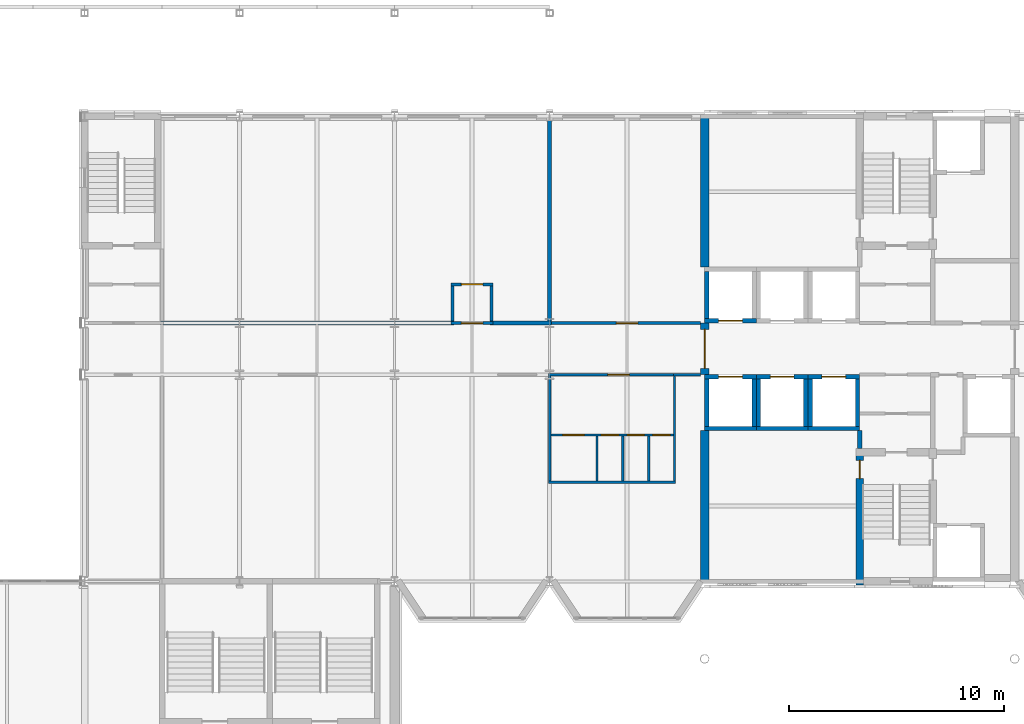
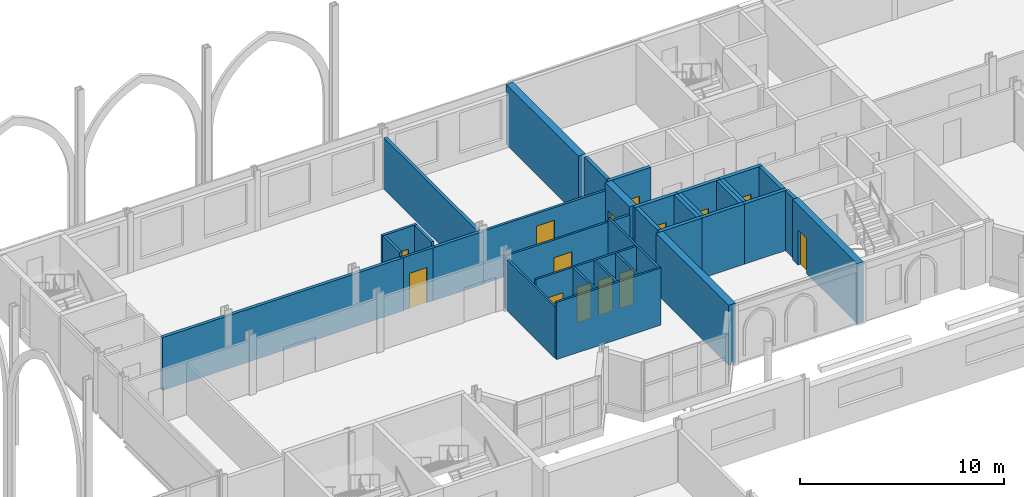
# One storey, part 74 of 124: 36 walls, 14 doors, 14 openings.
"""IFC4 building model written with IfcOpenShell, lengths in metres."""

from ifc_helpers import new_model, si_unit, direction, frame, frame_2d, origin, place, context, subcontext, project, spatial, rectangle, extrude, material, layer, layer_set, type_object, element, fill, save


model = new_model("IFC4")

# Units and contexts
model_context = context("Model", 3, precision=1e-05, world=origin(), true_north=direction((0.0, 1.0)))
body_context = subcontext(model_context, "Body", "Model", "MODEL_VIEW")
ifc_project = project(units=[si_unit("LENGTHUNIT", "METRE"), si_unit("AREAUNIT", "SQUARE_METRE"), si_unit("VOLUMEUNIT", "CUBIC_METRE"), si_unit("PLANEANGLEUNIT", "RADIAN"), si_unit("MASSUNIT", "GRAM", prefix="KILO")], contexts=[model_context])

# Site, building, storey
site_placement = place(None, origin())
site = spatial("IfcSite", under=ifc_project, at=site_placement, CompositionType="ELEMENT")
building_placement = place(site_placement, origin())
building = spatial("IfcBuilding", under=site, at=building_placement, Name="Kupolbacken Congress Centre", CompositionType="ELEMENT")
storey_placement = place(building_placement, frame((0.0, 0.0, 10.800048828125)))
storey = spatial("IfcBuildingStorey", under=building, at=storey_placement, Name="L03", CompositionType="ELEMENT", Elevation=10.800048828125)

# Wall
ifc_material_1 = material(Name="Gypsum board", Category="drywall")
ifc_layer_1 = layer(ifc_material_1, 0.114990234375)
ifc_layer_set_1 = layer_set([ifc_layer_1], Name="Gypsum board")
wall_type_1 = type_object("IfcWallType", Name="P04 partition 115", PredefinedType="PARTITIONING", material=ifc_layer_set_1)
wall_1_placement = place(storey_placement, frame((86.342529296875, 127.0, 0.0), z_axis=(0.0, 0.0, 1.0), x_axis=(1.0, 0.0, 0.0)))
element("IfcWall", 1, at=wall_1_placement, inside=storey, type_object=wall_type_1, Name="T/wall/L03/x/12700/8640", PredefinedType="PARTITIONING", context=body_context, shape_type="SweptSolid", body=[
    extrude(rectangle(XDim=5.9150390625, YDim=0.114990234375, at=frame_2d((2.95751953125, 0.0))), origin(), (0.0, 0.0, 1.0), 3.419921875),
])

# Wall, openings, doors
wall_2_placement = place(storey_placement, frame((86.45751953125, 129.199951171875, 0.0), z_axis=(0.0, 0.0, 1.0), x_axis=(1.0, 0.0, 0.0)))
wall_2 = element("IfcWall", 2, at=wall_2_placement, inside=storey, type_object=wall_type_1, Name="T/wall/L03/x/12920/8640", PredefinedType="PARTITIONING", context=body_context, shape_type="SweptSolid", body=[
    extrude(rectangle(XDim=5.68505859375, YDim=0.114990234375, at=frame_2d((2.842529296875, 0.0))), origin(), (0.0, 0.0, 1.0), 3.419921875),
])
opening_1_placement = place(wall_2_placement, frame((0.54248046875, 0.0, 0.0)))
opening_1 = element("IfcOpeningElement", 3, at=opening_1_placement, cuts=wall_2, Name="Opening D39", PredefinedType="OPENING", context=body_context, shape_type="SweptSolid", body=[
    extrude(rectangle(XDim=1.0, YDim=2.10009765625, at=frame_2d((0.5, 1.050048828125))), frame((0.0, 0.0673828125, 0.0), z_axis=(0.0, -1.0, 0.0), x_axis=(1.0, 0.0, 0.0)), (0.0, 0.0, 1.0), 0.135009765625),
])
opening_2_placement = place(wall_2_placement, frame((2.342529296875, 0.0, 0.0)))
opening_2 = element("IfcOpeningElement", 4, at=opening_2_placement, cuts=wall_2, Name="Opening D2", PredefinedType="OPENING", context=body_context, shape_type="SweptSolid", body=[
    extrude(rectangle(XDim=0.800048828125, YDim=2.10009765625, at=frame_2d((0.39990234375, 1.050048828125))), frame((0.0, 0.0673828125, 0.0), z_axis=(0.0, -1.0, 0.0), x_axis=(1.0, 0.0, 0.0)), (0.0, 0.0, 1.0), 0.135009765625),
])
opening_3_placement = place(wall_2_placement, frame((3.54248046875, 0.0, 0.0)))
opening_3 = element("IfcOpeningElement", 5, at=opening_3_placement, cuts=wall_2, Name="Opening D2", PredefinedType="OPENING", context=body_context, shape_type="SweptSolid", body=[
    extrude(rectangle(XDim=0.800048828125, YDim=2.10009765625, at=frame_2d((0.39990234375, 1.050048828125))), frame((0.0, 0.0673828125, 0.0), z_axis=(0.0, -1.0, 0.0), x_axis=(1.0, 0.0, 0.0)), (0.0, 0.0, 1.0), 0.135009765625),
])
opening_4_placement = place(wall_2_placement, frame((4.742431640625, 0.0, 0.0)))
opening_4 = element("IfcOpeningElement", 6, at=opening_4_placement, cuts=wall_2, Name="Opening D2", PredefinedType="OPENING", context=body_context, shape_type="SweptSolid", body=[
    extrude(rectangle(XDim=0.800048828125, YDim=2.10009765625, at=frame_2d((0.39990234375, 1.050048828125))), frame((0.0, 0.0673828125, 0.0), z_axis=(0.0, -1.0, 0.0), x_axis=(1.0, 0.0, 0.0)), (0.0, 0.0, 1.0), 0.135009765625),
])
ifc_material_2 = material(Name="Timber door leaf", Category="wood")
door_type_1 = type_object("IfcDoorType", Name="D2 door 800x2100", OperationType="SINGLE_SWING_LEFT", PredefinedType="DOOR", material=ifc_material_2)
door_1_placement = place(opening_2_placement, frame((0.800048828125, 0.0, 0.0), z_axis=(0.0, 0.0, 1.0), x_axis=(-1.0, 0.0, 0.0)))
door_1 = element("IfcDoor", 7, at=door_1_placement, inside=storey, type_object=door_type_1, Name="T/wall/L03/x/12920/8640/D-WR-DC1", OperationType="SINGLE_SWING_RIGHT", OverallHeight=2.10009765625, OverallWidth=0.800048828125, PredefinedType="DOOR", context=body_context, shape_type="SweptSolid", body=[
    extrude(rectangle(XDim=0.800048828125, YDim=2.10009765625, at=frame_2d((0.39990234375, 1.050048828125))), frame((0.0, 0.02490234375, 0.0), z_axis=(0.0, -1.0, 0.0), x_axis=(1.0, 0.0, 0.0)), (0.0, 0.0, 1.0), 0.050048828125),
])
fill(opening_2, door_1)
door_2_placement = place(opening_3_placement, frame((0.800048828125, 0.0, 0.0), z_axis=(0.0, 0.0, 1.0), x_axis=(-1.0, 0.0, 0.0)))
door_2 = element("IfcDoor", 8, at=door_2_placement, inside=storey, type_object=door_type_1, Name="T/wall/L03/x/12920/8640/D-WR-DC2", OperationType="SINGLE_SWING_LEFT", OverallHeight=2.10009765625, OverallWidth=0.800048828125, PredefinedType="DOOR", context=body_context, shape_type="SweptSolid", body=[
    extrude(rectangle(XDim=0.800048828125, YDim=2.10009765625, at=frame_2d((0.39990234375, 1.050048828125))), frame((0.0, 0.02490234375, 0.0), z_axis=(0.0, -1.0, 0.0), x_axis=(1.0, 0.0, 0.0)), (0.0, 0.0, 1.0), 0.050048828125),
])
fill(opening_3, door_2)
door_3_placement = place(opening_4_placement, frame((0.800048828125, 0.0, 0.0), z_axis=(0.0, 0.0, 1.0), x_axis=(-1.0, 0.0, 0.0)))
door_3 = element("IfcDoor", 9, at=door_3_placement, inside=storey, type_object=door_type_1, Name="T/wall/L03/x/12920/8640/D-WR-DC3", OperationType="SINGLE_SWING_RIGHT", OverallHeight=2.10009765625, OverallWidth=0.800048828125, PredefinedType="DOOR", context=body_context, shape_type="SweptSolid", body=[
    extrude(rectangle(XDim=0.800048828125, YDim=2.10009765625, at=frame_2d((0.39990234375, 1.050048828125))), frame((0.0, 0.02490234375, 0.0), z_axis=(0.0, -1.0, 0.0), x_axis=(1.0, 0.0, 0.0)), (0.0, 0.0, 1.0), 0.050048828125),
])
fill(opening_4, door_3)
ifc_material_3 = material(Name="Timber door leaf", Category="wood")
door_type_2 = type_object("IfcDoorType", Name="D39 door 1000x2100", OperationType="SINGLE_SWING_LEFT", PredefinedType="DOOR", material=ifc_material_3)
door_4_placement = place(opening_1_placement, frame((1.0, 0.0, 0.0), z_axis=(0.0, 0.0, 1.0), x_axis=(-1.0, 0.0, 0.0)))
door_4 = element("IfcDoor", 10, at=door_4_placement, inside=storey, type_object=door_type_2, Name="T/wall/L03/x/12920/8640/D-WR-DA", OperationType="SINGLE_SWING_RIGHT", OverallHeight=2.10009765625, OverallWidth=1.0, PredefinedType="DOOR", context=body_context, shape_type="SweptSolid", body=[
    extrude(rectangle(XDim=1.0, YDim=2.10009765625, at=frame_2d((0.5, 1.050048828125))), frame((0.0, 0.02490234375, 0.0), z_axis=(0.0, -1.0, 0.0), x_axis=(1.0, 0.0, 0.0)), (0.0, 0.0, 1.0), 0.050048828125),
])
fill(opening_1, door_4)

# Wall, opening, door
wall_3_placement = place(storey_placement, frame((86.342529296875, 132.0, 0.0), z_axis=(0.0, 0.0, 1.0), x_axis=(1.0, 0.0, 0.0)))
wall_3 = element("IfcWall", 11, at=wall_3_placement, inside=storey, type_object=wall_type_1, Name="T/wall/L03/x/13200/8640", PredefinedType="PARTITIONING", context=body_context, shape_type="SweptSolid", body=[
    extrude(rectangle(XDim=5.9150390625, YDim=0.114990234375, at=frame_2d((2.95751953125, 0.0))), origin(), (0.0, 0.0, 1.0), 3.158935546875),
])
opening_5_placement = place(wall_3_placement, frame((2.757568359375, 0.0, 0.0)))
opening_5 = element("IfcOpeningElement", 12, at=opening_5_placement, cuts=wall_3, Name="Opening D39", PredefinedType="OPENING", context=body_context, shape_type="SweptSolid", body=[
    extrude(rectangle(XDim=1.0, YDim=2.10009765625, at=frame_2d((0.5, 1.050048828125))), frame((0.0, 0.0673828125, 0.0), z_axis=(0.0, -1.0, 0.0), x_axis=(1.0, 0.0, 0.0)), (0.0, 0.0, 1.0), 0.135009765625),
])
door_5_placement = place(opening_5_placement, frame((1.0, 0.0, 0.0), z_axis=(0.0, 0.0, 1.0), x_axis=(-1.0, 0.0, 0.0)))
door_5 = element("IfcDoor", 13, at=door_5_placement, inside=storey, type_object=door_type_2, Name="T/wall/L03/x/13200/8640/D-WR-DE", OperationType="SINGLE_SWING_RIGHT", OverallHeight=2.10009765625, OverallWidth=1.0, PredefinedType="DOOR", context=body_context, shape_type="SweptSolid", body=[
    extrude(rectangle(XDim=1.0, YDim=2.10009765625, at=frame_2d((0.5, 1.050048828125))), frame((0.0, 0.02490234375, 0.0), z_axis=(0.0, -1.0, 0.0), x_axis=(1.0, 0.0, 0.0)), (0.0, 0.0, 1.0), 0.050048828125),
])
fill(opening_5, door_5)

# Walls
wall_4_placement = place(storey_placement, frame((86.39990234375, 127.0576171875, 0.0), z_axis=(0.0, 0.0, 1.0), x_axis=(0.0, 1.0, 0.0)))
element("IfcWall", 14, at=wall_4_placement, inside=storey, type_object=wall_type_1, Name="T/wall/L03/y/8640/12700", PredefinedType="PARTITIONING", context=body_context, shape_type="SweptSolid", body=[
    extrude(rectangle(XDim=4.875, YDim=0.114990234375, at=frame_2d((2.4375, 0.0))), origin(), (0.0, 0.0, 1.0), 3.06005859375),
])
for number, where, z_axis, x_axis, name in (
    (15, (88.60009765625, 127.0576171875, 0.0), (0.0, 0.0, 1.0), (0.0, 1.0, 0.0), "T/wall/L03/y/8860/12700"),
    (16, (89.800048828125, 127.0576171875, 0.0), (0.0, 0.0, 1.0), (0.0, 1.0, 0.0), "T/wall/L03/y/8980/12700"),
    (17, (91.0, 127.0576171875, 0.0), (0.0, 0.0, 1.0), (0.0, 1.0, 0.0), "T/wall/L03/y/9100/12700"),
):
    element("IfcWall", number, at=place(storey_placement, frame(where, z_axis=z_axis, x_axis=x_axis)), inside=storey, type_object=wall_type_1, Name=name, PredefinedType="PARTITIONING", context=body_context, shape_type="SweptSolid", body=[
        extrude(rectangle(XDim=2.0849609375, YDim=0.114990234375, at=frame_2d((1.04248046875, 0.0))), origin(), (0.0, 0.0, 1.0), 3.419921875),
    ])
wall_5_placement = place(storey_placement, frame((92.199951171875, 127.0576171875, 0.0), z_axis=(0.0, 0.0, 1.0), x_axis=(0.0, 1.0, 0.0)))
element("IfcWall", 18, at=wall_5_placement, inside=storey, type_object=wall_type_1, Name="T/wall/L03/y/9220/12700", PredefinedType="PARTITIONING", context=body_context, shape_type="SweptSolid", body=[
    extrude(rectangle(XDim=4.875, YDim=0.114990234375, at=frame_2d((2.4375, 0.0))), origin(), (0.0, 0.0, 1.0), 3.419921875),
])
ifc_material_4 = material(Name="Gypsum board", Category="drywall")
ifc_layer_2 = layer(ifc_material_4, 0.135009765625)
ifc_layer_set_2 = layer_set([ifc_layer_2], Name="Gypsum board")
wall_type_2 = type_object("IfcWallType", Name="P06 compartment wall 135", PredefinedType="PARTITIONING", material=ifc_layer_set_2)
wall_6_placement = place(storey_placement, frame((92.142578125, 132.0, 0.0), z_axis=(0.0, 0.0, 1.0), x_axis=(1.0, 0.0, 0.0)))
element("IfcWall", 19, at=wall_6_placement, inside=storey, type_object=wall_type_2, Name="T/wall/L03/x/13200/9220", PredefinedType="PARTITIONING", context=body_context, shape_type="SweptSolid", body=[
    extrude(rectangle(XDim=1.25732421875, YDim=0.135009765625, at=frame_2d((0.628662109375, 0.0))), origin(), (0.0, 0.0, 1.0), 3.158935546875),
])

# Wall, opening, door
wall_7_placement = place(storey_placement, frame((86.3125, 134.39990234375, 0.0), z_axis=(0.0, 0.0, 1.0), x_axis=(1.0, 0.0, 0.0)))
wall_7 = element("IfcWall", 20, at=wall_7_placement, inside=storey, type_object=wall_type_2, Name="T/wall/L03/x/13440/8640", PredefinedType="PARTITIONING", context=body_context, shape_type="SweptSolid", body=[
    extrude(rectangle(XDim=7.08740234375, YDim=0.135009765625, at=frame_2d((3.543701171875, 0.0))), origin(), (0.0, 0.0, 1.0), 3.158935546875),
])
opening_6_placement = place(wall_7_placement, frame((3.1875, 0.0, 0.0)))
opening_6 = element("IfcOpeningElement", 21, at=opening_6_placement, cuts=wall_7, Name="Opening D8", PredefinedType="OPENING", context=body_context, shape_type="SweptSolid", body=[
    extrude(rectangle(XDim=1.0, YDim=2.39990234375, at=frame_2d((0.5, 1.199951171875))), frame((0.0, 0.077392578125, 0.0), z_axis=(0.0, -1.0, 0.0), x_axis=(1.0, 0.0, 0.0)), (0.0, 0.0, 1.0), 0.155029296875),
])
ifc_material_5 = material(Name="Steel fire door leaf", Category="steel")
door_type_3 = type_object("IfcDoorType", Name="D8 fire door 1000x2400", OperationType="SINGLE_SWING_LEFT", PredefinedType="DOOR", material=ifc_material_5)
door_6_placement = place(opening_6_placement, origin())
door_6 = element("IfcDoor", 22, at=door_6_placement, inside=storey, type_object=door_type_3, Name="T/wall/L03/x/13440/8640/D-BAR-S1", OperationType="SINGLE_SWING_RIGHT", OverallHeight=2.39990234375, OverallWidth=1.0, PredefinedType="DOOR", context=body_context, shape_type="SweptSolid", body=[
    extrude(rectangle(XDim=1.0, YDim=2.39990234375, at=frame_2d((0.5, 1.199951171875))), frame((0.0, 0.02490234375, 0.0), z_axis=(0.0, -1.0, 0.0), x_axis=(1.0, 0.0, 0.0)), (0.0, 0.0, 1.0), 0.050048828125),
])
fill(opening_6, door_6)

# Walls
ifc_material_6 = material(Name="Gypsum board", Category="drywall")
ifc_layer_3 = layer(ifc_material_6, 0.175048828125)
ifc_layer_set_3 = layer_set([ifc_layer_3], Name="Gypsum board")
wall_type_3 = type_object("IfcWallType", Name="P09 partition 175", PredefinedType="PARTITIONING", material=ifc_layer_set_3)
wall_8_placement = place(storey_placement, frame((68.330078125, 134.39990234375, 0.0), z_axis=(0.0, 0.0, 1.0), x_axis=(1.0, 0.0, 0.0)))
element("IfcWall", 23, at=wall_8_placement, inside=storey, type_object=wall_type_3, Name="T/wall/L03/x/13440/6840", PredefinedType="PARTITIONING", context=body_context, shape_type="SweptSolid", body=[
    extrude(rectangle(XDim=13.639892578125, YDim=0.175048828125, at=frame_2d((6.81982421875, 0.0))), origin(), (0.0, 0.0, 1.0), 3.158935546875),
])
wall_9_placement = place(storey_placement, frame((83.6298828125, 134.39990234375, 0.0), z_axis=(0.0, 0.0, 1.0), x_axis=(1.0, 0.0, 0.0)))
element("IfcWall", 24, at=wall_9_placement, inside=storey, type_object=wall_type_3, Name="T/wall/L03/x/13440/8370", PredefinedType="PARTITIONING", context=body_context, shape_type="SweptSolid", body=[
    extrude(rectangle(XDim=2.857666015625, YDim=0.175048828125, at=frame_2d((1.4287109375, 0.0))), origin(), (0.0, 0.0, 1.0), 3.158935546875),
])
wall_10_placement = place(storey_placement, frame((86.39990234375, 134.487548828125, 0.0), z_axis=(0.0, 0.0, 1.0), x_axis=(0.0, 1.0, 0.0)))
element("IfcWall", 25, at=wall_10_placement, inside=storey, type_object=wall_type_3, Name="T/wall/L03/y/8640/13440", PredefinedType="PARTITIONING", context=body_context, shape_type="SweptSolid", body=[
    extrude(rectangle(XDim=9.322509765625, YDim=0.175048828125, at=frame_2d((4.6611328125, 0.0))), origin(), (0.0, 0.0, 1.0), 3.06005859375),
])

# Wall, opening, door
ifc_material_7 = material(Name="Aerated concrete block", Category="masonry")
ifc_layer_4 = layer(ifc_material_7, 0.139892578125)
ifc_layer_set_4 = layer_set([ifc_layer_4], Name="Aerated concrete block")
wall_type_4 = type_object("IfcWallType", Name="P14 compartment wall 140", PredefinedType="PARTITIONING", material=ifc_layer_set_4)
wall_11_placement = place(storey_placement, frame((81.830078125, 134.39990234375, 0.0), z_axis=(0.0, 0.0, 1.0), x_axis=(1.0, 0.0, 0.0)))
wall_11 = element("IfcWall", 26, at=wall_11_placement, inside=storey, type_object=wall_type_4, Name="T/wall/L03/x/13440/8190", PredefinedType="PARTITIONING", context=body_context, shape_type="SweptSolid", body=[
    extrude(rectangle(XDim=1.93994140625, YDim=0.139892578125, at=frame_2d((0.969970703125, 0.0))), origin(), (0.0, 0.0, 1.0), 3.158935546875),
])
opening_7_placement = place(wall_11_placement, frame((0.469970703125, 0.0, 0.0)))
opening_7 = element("IfcOpeningElement", 27, at=opening_7_placement, cuts=wall_11, Name="Opening D5", PredefinedType="OPENING", context=body_context, shape_type="SweptSolid", body=[
    extrude(rectangle(XDim=1.0, YDim=2.10009765625, at=frame_2d((0.5, 1.050048828125))), frame((0.0, 0.079833984375, 0.0), z_axis=(0.0, -1.0, 0.0), x_axis=(1.0, 0.0, 0.0)), (0.0, 0.0, 1.0), 0.159912109375),
])
ifc_material_8 = material(Name="Steel fire door leaf", Category="steel")
door_type_4 = type_object("IfcDoorType", Name="D5 stair door 1000x2100", OperationType="SINGLE_SWING_LEFT", PredefinedType="DOOR", material=ifc_material_8)
door_7_placement = place(opening_7_placement, origin())
door_7 = element("IfcDoor", 28, at=door_7_placement, inside=storey, type_object=door_type_4, Name="T/wall/L03/x/13440/8190/D-KIT-D1", OperationType="SINGLE_SWING_RIGHT", OverallHeight=2.10009765625, OverallWidth=1.0, PredefinedType="DOOR", context=body_context, shape_type="SweptSolid", body=[
    extrude(rectangle(XDim=1.0, YDim=2.10009765625, at=frame_2d((0.5, 1.050048828125))), frame((0.0, 0.02490234375, 0.0), z_axis=(0.0, -1.0, 0.0), x_axis=(1.0, 0.0, 0.0)), (0.0, 0.0, 1.0), 0.050048828125),
])
fill(opening_7, door_7)

wall_12_placement = place(storey_placement, frame((81.830078125, 136.199951171875, 0.0), z_axis=(0.0, 0.0, 1.0), x_axis=(1.0, 0.0, 0.0)))
wall_12 = element("IfcWall", 29, at=wall_12_placement, inside=storey, type_object=wall_type_4, Name="T/wall/L03/x/13620/8190", PredefinedType="PARTITIONING", context=body_context, shape_type="SweptSolid", body=[
    extrude(rectangle(XDim=1.93994140625, YDim=0.139892578125, at=frame_2d((0.969970703125, 0.0))), origin(), (0.0, 0.0, 1.0), 3.419921875),
])
opening_8_placement = place(wall_12_placement, frame((0.469970703125, 0.0, 0.0)))
opening_8 = element("IfcOpeningElement", 30, at=opening_8_placement, cuts=wall_12, Name="Opening D5", PredefinedType="OPENING", context=body_context, shape_type="SweptSolid", body=[
    extrude(rectangle(XDim=1.0, YDim=2.10009765625, at=frame_2d((0.5, 1.050048828125))), frame((0.0, 0.079833984375, 0.0), z_axis=(0.0, -1.0, 0.0), x_axis=(1.0, 0.0, 0.0)), (0.0, 0.0, 1.0), 0.159912109375),
])
door_8_placement = place(opening_8_placement, frame((1.0, 0.0, 0.0), z_axis=(0.0, 0.0, 1.0), x_axis=(-1.0, 0.0, 0.0)))
door_8 = element("IfcDoor", 31, at=door_8_placement, inside=storey, type_object=door_type_4, Name="T/wall/L03/x/13620/8190/D-KIT-D2", OperationType="SINGLE_SWING_RIGHT", OverallHeight=2.10009765625, OverallWidth=1.0, PredefinedType="DOOR", context=body_context, shape_type="SweptSolid", body=[
    extrude(rectangle(XDim=1.0, YDim=2.10009765625, at=frame_2d((0.5, 1.050048828125))), frame((0.0, 0.02490234375, 0.0), z_axis=(0.0, -1.0, 0.0), x_axis=(1.0, 0.0, 0.0)), (0.0, 0.0, 1.0), 0.050048828125),
])
fill(opening_8, door_8)

# Walls
for number, where, z_axis, x_axis, name in (
    (32, (81.89990234375, 134.487548828125, 0.0), (0.0, 0.0, 1.0), (0.0, 1.0, 0.0), "T/wall/L03/y/8190/13440"),
    (33, (83.699951171875, 134.487548828125, 0.0), (0.0, 0.0, 1.0), (0.0, 1.0, 0.0), "T/wall/L03/y/8370/13440"),
):
    element("IfcWall", number, at=place(storey_placement, frame(where, z_axis=z_axis, x_axis=x_axis)), inside=storey, type_object=wall_type_4, Name=name, PredefinedType="PARTITIONING", context=body_context, shape_type="SweptSolid", body=[
        extrude(rectangle(XDim=1.642333984375, YDim=0.139892578125, at=frame_2d((0.8212890625, 0.0))), origin(), (0.0, 0.0, 1.0), 3.419921875),
    ])
ifc_material_9 = material(Name="Concrete C40/50", Category="concrete")
ifc_layer_5 = layer(ifc_material_9, 0.199951171875)
ifc_layer_set_5 = layer_set([ifc_layer_5], Name="Concrete C40/50")
wall_type_5 = type_object("IfcWallType", Name="WC1 RC shaft wall 200", PredefinedType="SHEAR", material=ifc_layer_set_5)
wall_13_placement = place(storey_placement, frame((100.800048828125, 128.574951171875, 0.0), z_axis=(0.0, 0.0, 1.0), x_axis=(0.0, 1.0, 0.0)))
element("IfcWall", 34, at=wall_13_placement, inside=storey, type_object=wall_type_5, Name="Shaft wall L03-091", PredefinedType="SHEAR", context=body_context, shape_type="SweptSolid", body=[
    extrude(rectangle(XDim=0.824951171875, YDim=0.199951171875, at=frame_2d((0.41259765625, 0.0))), origin(), (0.0, 0.0, 1.0), 3.599853515625),
])
wall_14_placement = place(storey_placement, frame((93.60009765625, 129.5, 0.0), z_axis=(0.0, 0.0, 1.0), x_axis=(1.0, 0.0, 0.0)))
element("IfcWall", 35, at=wall_14_placement, inside=storey, type_object=wall_type_5, Name="Shaft wall LP9", PredefinedType="SHEAR", context=body_context, shape_type="SweptSolid", body=[
    extrude(rectangle(XDim=2.39990234375, YDim=0.199951171875, at=frame_2d((1.199951171875, 0.0))), origin(), (0.0, 0.0, 1.0), 3.599853515625),
])

# Wall, opening, door
wall_15_placement = place(storey_placement, frame((93.60009765625, 131.89990234375, 0.0), z_axis=(0.0, 0.0, 1.0), x_axis=(1.0, 0.0, 0.0)))
wall_15 = element("IfcWall", 36, at=wall_15_placement, inside=storey, type_object=wall_type_5, Name="Shaft wall LP9", PredefinedType="SHEAR", context=body_context, shape_type="SweptSolid", body=[
    extrude(rectangle(XDim=2.39990234375, YDim=0.199951171875, at=frame_2d((1.199951171875, 0.0))), origin(), (0.0, 0.0, 1.0), 3.599853515625),
])
opening_9_placement = place(wall_15_placement, frame((0.64990234375, 0.0, 0.0)))
opening_9 = element("IfcOpeningElement", 37, at=opening_9_placement, cuts=wall_15, Name="Opening LD2", PredefinedType="OPENING", context=body_context, shape_type="SweptSolid", body=[
    extrude(rectangle(XDim=1.10009765625, YDim=2.10009765625, at=frame_2d((0.550048828125, 1.050048828125))), frame((0.0, 0.10986328125, 0.0), z_axis=(0.0, -1.0, 0.0), x_axis=(1.0, 0.0, 0.0)), (0.0, 0.0, 1.0), 0.219970703125),
])
ifc_material_10 = material(Name="Stainless steel door leaf", Category="steel")
door_type_5 = type_object("IfcDoorType", Name="LD2 lift landing door 1100x2100", OperationType="SLIDING_TO_LEFT", PredefinedType="DOOR", material=ifc_material_10)
door_9_placement = place(opening_9_placement, origin())
door_9 = element("IfcDoor", 38, at=door_9_placement, inside=storey, type_object=door_type_5, Name="Lift landing door LP9", OperationType="SLIDING_TO_LEFT", OverallHeight=2.10009765625, OverallWidth=1.10009765625, PredefinedType="DOOR", context=body_context, shape_type="SweptSolid", body=[
    extrude(rectangle(XDim=1.10009765625, YDim=2.10009765625, at=frame_2d((0.550048828125, 1.050048828125))), frame((0.0, 0.02490234375, 0.0), z_axis=(0.0, -1.0, 0.0), x_axis=(1.0, 0.0, 0.0)), (0.0, 0.0, 1.0), 0.050048828125),
])
fill(opening_9, door_9)

# Walls
for number, where, z_axis, x_axis, name in (
    (39, (93.699951171875, 129.60009765625, 0.0), (0.0, 0.0, 1.0), (0.0, 1.0, 0.0), "Shaft wall LP9"),
    (40, (95.89990234375, 129.60009765625, 0.0), (0.0, 0.0, 1.0), (0.0, 1.0, 0.0), "Shaft wall LP9"),
):
    element("IfcWall", number, at=place(storey_placement, frame(where, z_axis=z_axis, x_axis=x_axis)), inside=storey, type_object=wall_type_5, Name=name, PredefinedType="SHEAR", context=body_context, shape_type="SweptSolid", body=[
        extrude(rectangle(XDim=2.199951171875, YDim=0.199951171875, at=frame_2d((1.10009765625, 0.0))), origin(), (0.0, 0.0, 1.0), 3.599853515625),
    ])
wall_16_placement = place(storey_placement, frame((96.0, 129.5, 0.0), z_axis=(0.0, 0.0, 1.0), x_axis=(1.0, 0.0, 0.0)))
element("IfcWall", 41, at=wall_16_placement, inside=storey, type_object=wall_type_5, Name="Shaft wall LP10", PredefinedType="SHEAR", context=body_context, shape_type="SweptSolid", body=[
    extrude(rectangle(XDim=2.39990234375, YDim=0.199951171875, at=frame_2d((1.199951171875, 0.0))), origin(), (0.0, 0.0, 1.0), 3.599853515625),
])

# Wall, opening, door
wall_17_placement = place(storey_placement, frame((96.0, 131.89990234375, 0.0), z_axis=(0.0, 0.0, 1.0), x_axis=(1.0, 0.0, 0.0)))
wall_17 = element("IfcWall", 42, at=wall_17_placement, inside=storey, type_object=wall_type_5, Name="Shaft wall LP10", PredefinedType="SHEAR", context=body_context, shape_type="SweptSolid", body=[
    extrude(rectangle(XDim=2.39990234375, YDim=0.199951171875, at=frame_2d((1.199951171875, 0.0))), origin(), (0.0, 0.0, 1.0), 3.599853515625),
])
opening_10_placement = place(wall_17_placement, frame((0.64990234375, 0.0, 0.0)))
opening_10 = element("IfcOpeningElement", 43, at=opening_10_placement, cuts=wall_17, Name="Opening LD2", PredefinedType="OPENING", context=body_context, shape_type="SweptSolid", body=[
    extrude(rectangle(XDim=1.10009765625, YDim=2.10009765625, at=frame_2d((0.550048828125, 1.050048828125))), frame((0.0, 0.10986328125, 0.0), z_axis=(0.0, -1.0, 0.0), x_axis=(1.0, 0.0, 0.0)), (0.0, 0.0, 1.0), 0.219970703125),
])
door_10_placement = place(opening_10_placement, origin())
door_10 = element("IfcDoor", 44, at=door_10_placement, inside=storey, type_object=door_type_5, Name="Lift landing door LP10", OperationType="SLIDING_TO_LEFT", OverallHeight=2.10009765625, OverallWidth=1.10009765625, PredefinedType="DOOR", context=body_context, shape_type="SweptSolid", body=[
    extrude(rectangle(XDim=1.10009765625, YDim=2.10009765625, at=frame_2d((0.550048828125, 1.050048828125))), frame((0.0, 0.02490234375, 0.0), z_axis=(0.0, -1.0, 0.0), x_axis=(1.0, 0.0, 0.0)), (0.0, 0.0, 1.0), 0.050048828125),
])
fill(opening_10, door_10)

# Walls
for number, where, z_axis, x_axis, name in (
    (45, (96.10009765625, 129.60009765625, 0.0), (0.0, 0.0, 1.0), (0.0, 1.0, 0.0), "Shaft wall LP10"),
    (46, (98.300048828125, 129.60009765625, 0.0), (0.0, 0.0, 1.0), (0.0, 1.0, 0.0), "Shaft wall LP10"),
):
    element("IfcWall", number, at=place(storey_placement, frame(where, z_axis=z_axis, x_axis=x_axis)), inside=storey, type_object=wall_type_5, Name=name, PredefinedType="SHEAR", context=body_context, shape_type="SweptSolid", body=[
        extrude(rectangle(XDim=2.199951171875, YDim=0.199951171875, at=frame_2d((1.10009765625, 0.0))), origin(), (0.0, 0.0, 1.0), 3.599853515625),
    ])
wall_18_placement = place(storey_placement, frame((98.39990234375, 129.5, 0.0), z_axis=(0.0, 0.0, 1.0), x_axis=(1.0, 0.0, 0.0)))
element("IfcWall", 47, at=wall_18_placement, inside=storey, type_object=wall_type_5, Name="Shaft wall LP11", PredefinedType="SHEAR", context=body_context, shape_type="SweptSolid", body=[
    extrude(rectangle(XDim=2.400146484375, YDim=0.199951171875, at=frame_2d((1.2001953125, 0.0))), origin(), (0.0, 0.0, 1.0), 3.599853515625),
])

# Wall, opening, door
wall_19_placement = place(storey_placement, frame((98.39990234375, 131.89990234375, 0.0), z_axis=(0.0, 0.0, 1.0), x_axis=(1.0, 0.0, 0.0)))
wall_19 = element("IfcWall", 48, at=wall_19_placement, inside=storey, type_object=wall_type_5, Name="Shaft wall LP11", PredefinedType="SHEAR", context=body_context, shape_type="SweptSolid", body=[
    extrude(rectangle(XDim=2.400146484375, YDim=0.199951171875, at=frame_2d((1.2001953125, 0.0))), origin(), (0.0, 0.0, 1.0), 3.599853515625),
])
opening_11_placement = place(wall_19_placement, frame((0.64990234375, 0.0, 0.0)))
opening_11 = element("IfcOpeningElement", 49, at=opening_11_placement, cuts=wall_19, Name="Opening LD2", PredefinedType="OPENING", context=body_context, shape_type="SweptSolid", body=[
    extrude(rectangle(XDim=1.10009765625, YDim=2.10009765625, at=frame_2d((0.550048828125, 1.050048828125))), frame((0.0, 0.10986328125, 0.0), z_axis=(0.0, -1.0, 0.0), x_axis=(1.0, 0.0, 0.0)), (0.0, 0.0, 1.0), 0.219970703125),
])
door_11_placement = place(opening_11_placement, origin())
door_11 = element("IfcDoor", 50, at=door_11_placement, inside=storey, type_object=door_type_5, Name="Lift landing door LP11", OperationType="SLIDING_TO_LEFT", OverallHeight=2.10009765625, OverallWidth=1.10009765625, PredefinedType="DOOR", context=body_context, shape_type="SweptSolid", body=[
    extrude(rectangle(XDim=1.10009765625, YDim=2.10009765625, at=frame_2d((0.550048828125, 1.050048828125))), frame((0.0, 0.02490234375, 0.0), z_axis=(0.0, -1.0, 0.0), x_axis=(1.0, 0.0, 0.0)), (0.0, 0.0, 1.0), 0.050048828125),
])
fill(opening_11, door_11)

# Walls
for number, where, z_axis, x_axis, name in (
    (51, (98.5, 129.60009765625, 0.0), (0.0, 0.0, 1.0), (0.0, 1.0, 0.0), "Shaft wall LP11"),
    (52, (100.699951171875, 129.60009765625, 0.0), (0.0, 0.0, 1.0), (0.0, 1.0, 0.0), "Shaft wall LP11"),
):
    element("IfcWall", number, at=place(storey_placement, frame(where, z_axis=z_axis, x_axis=x_axis)), inside=storey, type_object=wall_type_5, Name=name, PredefinedType="SHEAR", context=body_context, shape_type="SweptSolid", body=[
        extrude(rectangle(XDim=2.199951171875, YDim=0.199951171875, at=frame_2d((1.10009765625, 0.0))), origin(), (0.0, 0.0, 1.0), 3.599853515625),
    ])

# Wall, opening, door
wall_20_placement = place(storey_placement, frame((93.60009765625, 134.5, 0.0), z_axis=(0.0, 0.0, 1.0), x_axis=(1.0, 0.0, 0.0)))
wall_20 = element("IfcWall", 53, at=wall_20_placement, inside=storey, type_object=wall_type_5, Name="Shaft wall LP12", PredefinedType="SHEAR", context=body_context, shape_type="SweptSolid", body=[
    extrude(rectangle(XDim=2.39990234375, YDim=0.199951171875, at=frame_2d((1.199951171875, 0.0))), origin(), (0.0, 0.0, 1.0), 3.599853515625),
])
opening_12_placement = place(wall_20_placement, frame((0.64990234375, 0.0, 0.0)))
opening_12 = element("IfcOpeningElement", 54, at=opening_12_placement, cuts=wall_20, Name="Opening LD2", PredefinedType="OPENING", context=body_context, shape_type="SweptSolid", body=[
    extrude(rectangle(XDim=1.10009765625, YDim=2.10009765625, at=frame_2d((0.550048828125, 1.050048828125))), frame((0.0, 0.10986328125, 0.0), z_axis=(0.0, -1.0, 0.0), x_axis=(1.0, 0.0, 0.0)), (0.0, 0.0, 1.0), 0.219970703125),
])
door_12_placement = place(opening_12_placement, origin())
door_12 = element("IfcDoor", 55, at=door_12_placement, inside=storey, type_object=door_type_5, Name="Lift landing door LP12", OperationType="SLIDING_TO_LEFT", OverallHeight=2.10009765625, OverallWidth=1.10009765625, PredefinedType="DOOR", context=body_context, shape_type="SweptSolid", body=[
    extrude(rectangle(XDim=1.10009765625, YDim=2.10009765625, at=frame_2d((0.550048828125, 1.050048828125))), frame((0.0, 0.02490234375, 0.0), z_axis=(0.0, -1.0, 0.0), x_axis=(1.0, 0.0, 0.0)), (0.0, 0.0, 1.0), 0.050048828125),
])
fill(opening_12, door_12)

# Wall
wall_21_placement = place(storey_placement, frame((93.699951171875, 134.60009765625, 0.0), z_axis=(0.0, 0.0, 1.0), x_axis=(0.0, 1.0, 0.0)))
element("IfcWall", 56, at=wall_21_placement, inside=storey, type_object=wall_type_5, Name="Shaft wall LP12", PredefinedType="SHEAR", context=body_context, shape_type="SweptSolid", body=[
    extrude(rectangle(XDim=2.199951171875, YDim=0.199951171875, at=frame_2d((1.10009765625, 0.0))), origin(), (0.0, 0.0, 1.0), 3.599853515625),
])

# Wall, opening, door
ifc_material_11 = material(Name="Concrete C40/50", Category="concrete")
ifc_layer_6 = layer(ifc_material_11, 0.35009765625)
ifc_layer_set_6 = layer_set([ifc_layer_6], Name="Concrete C40/50")
wall_type_6 = type_object("IfcWallType", Name="WC4 RC core wall 350", PredefinedType="SHEAR", material=ifc_layer_set_6)
wall_22_placement = place(storey_placement, frame((100.800048828125, 128.574951171875, 0.0), z_axis=(0.0, 0.0, 1.0), x_axis=(0.0, -1.0, 0.0)))
wall_22 = element("IfcWall", 57, at=wall_22_placement, inside=storey, type_object=wall_type_6, Name="Core wall L03-090", PredefinedType="SHEAR", context=body_context, shape_type="SweptSolid", body=[
    extrude(rectangle(XDim=6.349853515625, YDim=0.35009765625, at=frame_2d((3.1748046875, 0.0))), origin(), (0.0, 0.0, 1.0), 3.599853515625),
])
opening_13_placement = place(wall_22_placement, frame((0.550048828125, 0.0, 0.0)))
opening_13 = element("IfcOpeningElement", 58, at=opening_13_placement, cuts=wall_22, Name="Opening D3", PredefinedType="OPENING", context=body_context, shape_type="SweptSolid", body=[
    extrude(rectangle(XDim=0.85009765625, YDim=2.10009765625, at=frame_2d((0.425048828125, 1.050048828125))), frame((0.0, 0.18505859375, 0.0), z_axis=(0.0, -1.0, 0.0), x_axis=(1.0, 0.0, 0.0)), (0.0, 0.0, 1.0), 0.3701171875),
])
ifc_material_12 = material(Name="Steel fire door leaf", Category="steel")
door_type_6 = type_object("IfcDoorType", Name="D3 fire door 850x2100", OperationType="SINGLE_SWING_LEFT", PredefinedType="DOOR", material=ifc_material_12)
door_13_placement = place(opening_13_placement, origin())
door_13 = element("IfcDoor", 59, at=door_13_placement, inside=storey, type_object=door_type_6, Name="S/core/L03/090/D-TR1-A", OperationType="SINGLE_SWING_RIGHT", OverallHeight=2.10009765625, OverallWidth=0.85009765625, PredefinedType="DOOR", context=body_context, shape_type="SweptSolid", body=[
    extrude(rectangle(XDim=0.85009765625, YDim=2.10009765625, at=frame_2d((0.425048828125, 1.050048828125))), frame((0.0, 0.02490234375, 0.0), z_axis=(0.0, -1.0, 0.0), x_axis=(1.0, 0.0, 0.0)), (0.0, 0.0, 1.0), 0.050048828125),
])
fill(opening_13, door_13)

# Wall
ifc_material_13 = material(Name="Concrete C40/50", Category="concrete")
ifc_layer_7 = layer(ifc_material_13, 0.39990234375)
ifc_layer_set_7 = layer_set([ifc_layer_7], Name="Concrete C40/50")
wall_type_7 = type_object("IfcWallType", Name="WC5 RC core wall 400", PredefinedType="SHEAR", material=ifc_layer_set_7)
wall_23_placement = place(storey_placement, frame((93.60009765625, 129.39990234375, 0.0), z_axis=(0.0, 0.0, 1.0), x_axis=(0.0, -1.0, 0.0)))
element("IfcWall", 60, at=wall_23_placement, inside=storey, type_object=wall_type_7, Name="Core wall L03-100", PredefinedType="SHEAR", context=body_context, shape_type="SweptSolid", body=[
    extrude(rectangle(XDim=7.099853515625, YDim=0.39990234375, at=frame_2d((3.5498046875, 0.0))), origin(), (0.0, 0.0, 1.0), 3.599853515625),
])

# Wall, opening, door
wall_24_placement = place(storey_placement, frame((93.60009765625, 132.0, 0.0), z_axis=(0.0, 0.0, 1.0), x_axis=(0.0, 1.0, 0.0)))
wall_24 = element("IfcWall", 61, at=wall_24_placement, inside=storey, type_object=wall_type_7, Name="Core wall L03-108", PredefinedType="SHEAR", context=body_context, shape_type="SweptSolid", body=[
    extrude(rectangle(XDim=2.39990234375, YDim=0.39990234375, at=frame_2d((1.199951171875, 0.0))), origin(), (0.0, 0.0, 1.0), 3.599853515625),
])
opening_14_placement = place(wall_24_placement, frame((0.300048828125, 0.0, 0.0)))
opening_14 = element("IfcOpeningElement", 62, at=opening_14_placement, cuts=wall_24, Name="Opening D14", PredefinedType="OPENING", context=body_context, shape_type="SweptSolid", body=[
    extrude(rectangle(XDim=1.800048828125, YDim=2.10009765625, at=frame_2d((0.89990234375, 1.050048828125))), frame((0.0, 0.2099609375, 0.0), z_axis=(0.0, -1.0, 0.0), x_axis=(1.0, 0.0, 0.0)), (0.0, 0.0, 1.0), 0.419921875),
])
ifc_material_14 = material(Name="Steel fire door leaf", Category="steel")
door_type_7 = type_object("IfcDoorType", Name="D14 fire door 1800x2100", OperationType="DOUBLE_DOOR_SINGLE_SWING", PredefinedType="DOOR", material=ifc_material_14)
door_14_placement = place(opening_14_placement, frame((1.800048828125, 0.0, 0.0), z_axis=(0.0, 0.0, 1.0), x_axis=(-1.0, 0.0, 0.0)))
door_14 = element("IfcDoor", 63, at=door_14_placement, inside=storey, type_object=door_type_7, Name="S/core/L03/108/D-CX-W", OperationType="DOUBLE_DOOR_SINGLE_SWING", OverallHeight=2.10009765625, OverallWidth=1.800048828125, PredefinedType="DOOR", context=body_context, shape_type="SweptSolid", body=[
    extrude(rectangle(XDim=1.800048828125, YDim=2.10009765625, at=frame_2d((0.89990234375, 1.050048828125))), frame((0.0, 0.02490234375, 0.0), z_axis=(0.0, -1.0, 0.0), x_axis=(1.0, 0.0, 0.0)), (0.0, 0.0, 1.0), 0.050048828125),
])
fill(opening_14, door_14)

# Wall
wall_25_placement = place(storey_placement, frame((93.60009765625, 144.10009765625, 0.0), z_axis=(0.0, 0.0, 1.0), x_axis=(0.0, -1.0, 0.0)))
element("IfcWall", 64, at=wall_25_placement, inside=storey, type_object=wall_type_7, Name="Core wall L03-126", PredefinedType="SHEAR", context=body_context, shape_type="SweptSolid", body=[
    extrude(rectangle(XDim=7.10009765625, YDim=0.39990234375, at=frame_2d((3.550048828125, 0.0))), origin(), (0.0, 0.0, 1.0), 3.599853515625),
])

save(model, "model.ifc")
